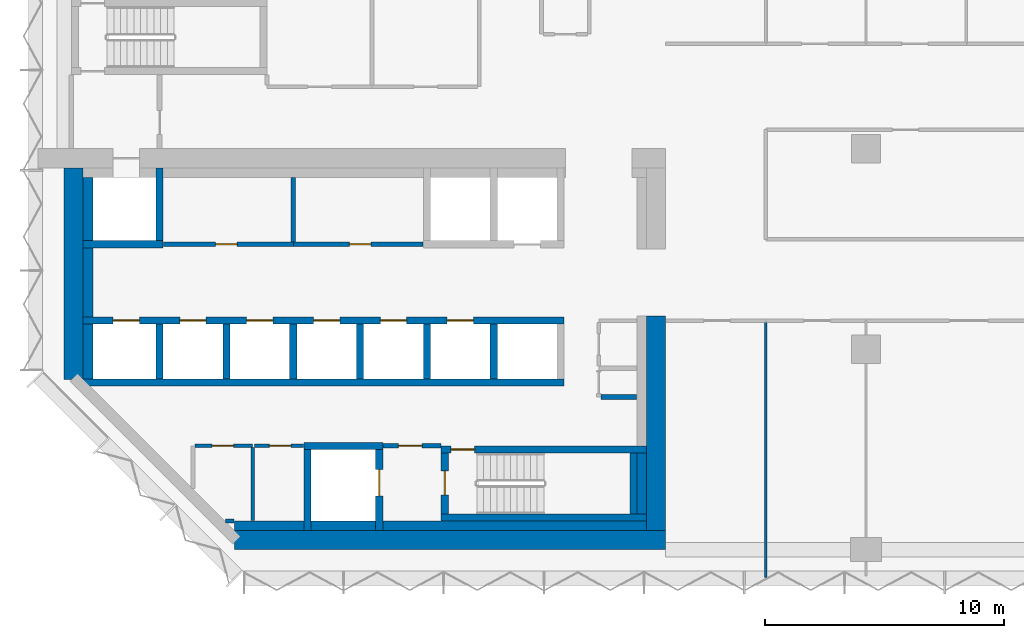
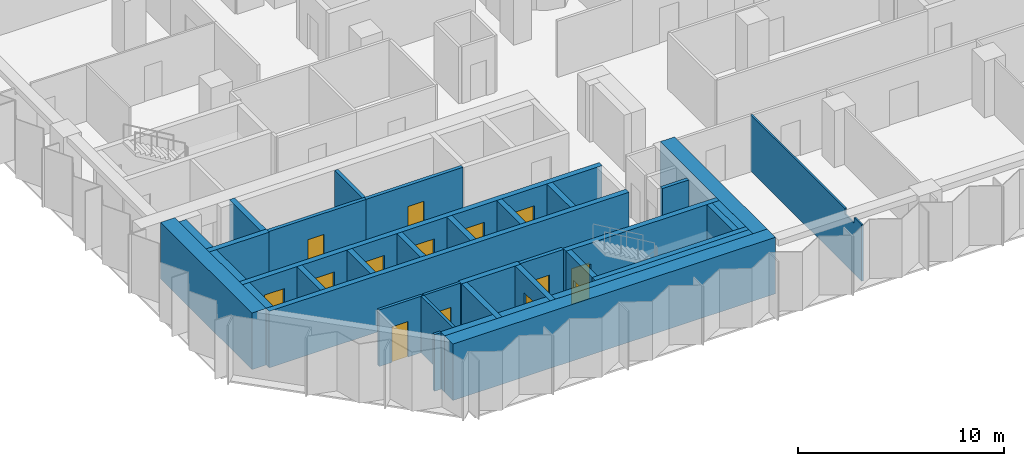
# One storey, part 7 of 13: 37 walls, 14 doors, 14 openings.
"""IFC4 building model written with IfcOpenShell, lengths in metres."""

from ifc_helpers import new_model, si_unit, direction, frame, frame_2d, origin, place, context, subcontext, project, spatial, polyline, rectangle, outline, extrude, material, layer, layer_set, type_object, element, fill, save


model = new_model("IFC4")

# Units and contexts
model_context = context("Model", 3, precision=1e-05, world=origin(), true_north=direction((0.0, 1.0)))
body_context = subcontext(model_context, "Body", "Model", "MODEL_VIEW")
ifc_project = project(units=[si_unit("LENGTHUNIT", "METRE"), si_unit("AREAUNIT", "SQUARE_METRE"), si_unit("VOLUMEUNIT", "CUBIC_METRE"), si_unit("PLANEANGLEUNIT", "RADIAN"), si_unit("MASSUNIT", "GRAM", prefix="KILO")], contexts=[model_context])

# Site, building, storey
site_placement = place(None, origin())
site = spatial("IfcSite", under=ifc_project, at=site_placement, CompositionType="ELEMENT")
building_placement = place(site_placement, origin())
building = spatial("IfcBuilding", under=site, at=building_placement, Name="Brevane Broadcast Tower", CompositionType="ELEMENT")
storey_placement = place(building_placement, frame((0.0, 0.0, 113.300048828125)))
storey = spatial("IfcBuildingStorey", under=building, at=storey_placement, Name="L27", CompositionType="ELEMENT", Elevation=113.300048828125)

# Walls
ifc_material_1 = material(Name="Concrete C32/40", Category="concrete")
ifc_layer_1 = layer(ifc_material_1, 0.39990234375)
ifc_layer_set_1 = layer_set([ifc_layer_1], Name="Core chase wall 400 mm")
wall_type_1 = type_object("IfcWallType", Name="Core chase wall 400 mm", PredefinedType="PARTITIONING", material=ifc_layer_set_1)
wall_1_placement = place(storey_placement, frame((1.0, 7.14990234375, 0.0), z_axis=(0.0, 0.0, 1.0), x_axis=(0.0, 1.0, 0.0)))
element("IfcWall", 1, at=wall_1_placement, inside=storey, type_object=wall_type_1, Name="L27 chase wall LW-2-1", PredefinedType="PARTITIONING", context=body_context, shape_type="SweptSolid", body=[
    extrude(rectangle(XDim=2.300048828125, YDim=0.39990234375, at=frame_2d((1.14990234375, 0.0))), origin(), (0.0, 0.0, 1.0), 3.349853515625),
])
wall_2_placement = place(storey_placement, frame((1.0, 9.75, 0.0), z_axis=(0.0, 0.0, 1.0), x_axis=(0.0, 1.0, 0.0)))
element("IfcWall", 2, at=wall_2_placement, inside=storey, type_object=wall_type_1, Name="L27 chase wall LW-2-2-1", PredefinedType="PARTITIONING", context=body_context, shape_type="SweptSolid", body=[
    extrude(rectangle(XDim=2.89990234375, YDim=0.39990234375, at=frame_2d((1.449951171875, 0.0))), origin(), (0.0, 0.0, 1.0), 3.349853515625),
])
wall_3_placement = place(storey_placement, frame((1.0, 12.949951171875, 0.0), z_axis=(0.0, 0.0, 1.0), x_axis=(0.0, 1.0, 0.0)))
element("IfcWall", 3, at=wall_3_placement, inside=storey, type_object=wall_type_1, Name="L27 chase wall LW-2-2-2", PredefinedType="PARTITIONING", context=body_context, shape_type="SweptSolid", body=[
    extrude(rectangle(XDim=2.650146484375, YDim=0.39990234375, at=frame_2d((1.3251953125, 0.0))), origin(), (0.0, 0.0, 1.0), 3.349853515625),
])
wall_4_placement = place(storey_placement, frame((7.136474609375, 1.0, 0.0), z_axis=(0.0, 0.0, 1.0), x_axis=(1.0, 0.0, 0.0)))
element("IfcWall", 4, at=wall_4_placement, inside=storey, type_object=wall_type_1, Name="L27 chase wall LS-1", PredefinedType="PARTITIONING", context=body_context, shape_type="SweptSolid", body=[
    extrude(rectangle(XDim=2.91357421875, YDim=0.39990234375, at=frame_2d((1.456787109375, 0.0))), origin(), (0.0, 0.0, 1.0), 3.349853515625),
])
wall_5_placement = place(storey_placement, frame((10.35009765625, 1.0, 0.0), z_axis=(0.0, 0.0, 1.0), x_axis=(1.0, 0.0, 0.0)))
element("IfcWall", 5, at=wall_5_placement, inside=storey, type_object=wall_type_1, Name="L27 chase wall LS-2-1", PredefinedType="PARTITIONING", context=body_context, shape_type="SweptSolid", body=[
    extrude(rectangle(XDim=2.699951171875, YDim=0.39990234375, at=frame_2d((1.35009765625, 0.0))), origin(), (0.0, 0.0, 1.0), 3.349853515625),
])
wall_6_placement = place(storey_placement, frame((13.35009765625, 1.0, 0.0), z_axis=(0.0, 0.0, 1.0), x_axis=(1.0, 0.0, 0.0)))
element("IfcWall", 6, at=wall_6_placement, inside=storey, type_object=wall_type_1, Name="L27 chase wall LS-2-2", PredefinedType="PARTITIONING", context=body_context, shape_type="SweptSolid", body=[
    extrude(rectangle(XDim=11.0498046875, YDim=0.39990234375, at=frame_2d((5.52490234375, 0.0))), origin(), (0.0, 0.0, 1.0), 3.349853515625),
])
wall_7_placement = place(storey_placement, frame((24.199951171875, 1.5, 0.0), z_axis=(0.0, 0.0, 1.0), x_axis=(0.0, 1.0, 0.0)))
element("IfcWall", 7, at=wall_7_placement, inside=storey, type_object=wall_type_1, Name="L27 chase wall LE1-2-1", PredefinedType="PARTITIONING", context=body_context, shape_type="SweptSolid", body=[
    extrude(rectangle(XDim=2.550048828125, YDim=0.39990234375, at=frame_2d((1.27490234375, 0.0))), origin(), (0.0, 0.0, 1.0), 3.349853515625),
])

# Wall, opening, door
ifc_material_2 = material(Name="Gypsum board on steel studs", Category="steel")
ifc_layer_2 = layer(ifc_material_2, 0.14990234375)
ifc_layer_set_2 = layer_set([ifc_layer_2], Name="Core fire partition 150 mm")
wall_type_2 = type_object("IfcWallType", Name="Core fire partition 150 mm", PredefinedType="PARTITIONING", material=ifc_layer_set_2)
wall_8_placement = place(storey_placement, frame((5.47509765625, 4.35009765625, 0.0), z_axis=(0.0, 0.0, 1.0), x_axis=(1.0, 0.0, 0.0)))
wall_8 = element("IfcWall", 8, at=wall_8_placement, inside=storey, type_object=wall_type_2, Name="L27 partition wall P11", PredefinedType="PARTITIONING", context=body_context, shape_type="SweptSolid", body=[
    extrude(rectangle(XDim=2.4248046875, YDim=0.14990234375, at=frame_2d((1.21240234375, 0.0))), origin(), (0.0, 0.0, 1.0), 3.349853515625),
])
opening_1_placement = place(wall_8_placement, frame((0.72509765625, 0.0, 0.0)))
opening_1 = element("IfcOpeningElement", 9, at=opening_1_placement, cuts=wall_8, Name="Opening L27-K16", PredefinedType="OPENING", context=body_context, shape_type="SweptSolid", body=[
    extrude(rectangle(XDim=0.89990234375, YDim=2.10009765625, at=frame_2d((0.449951171875, 1.050048828125))), frame((0.0, 0.0849609375, 0.0), z_axis=(0.0, -1.0, 0.0), x_axis=(1.0, 0.0, 0.0)), (0.0, 0.0, 1.0), 0.169921875),
])
ifc_material_3 = material(Name="Timber", Category="wood")
door_type_1 = type_object("IfcDoorType", Name="Toilet door 900 x 2100", OperationType="SINGLE_SWING_LEFT", PredefinedType="DOOR", material=ifc_material_3)
door_1_placement = place(opening_1_placement, origin())
door_1 = element("IfcDoor", 10, at=door_1_placement, inside=storey, type_object=door_type_1, Name="Door L27-K16", OperationType="SINGLE_SWING_LEFT", OverallHeight=2.10009765625, OverallWidth=0.89990234375, PredefinedType="DOOR", context=body_context, shape_type="SweptSolid", body=[
    extrude(rectangle(XDim=0.89990234375, YDim=2.10009765625, at=frame_2d((0.449951171875, 1.050048828125))), frame((0.0, 0.02490234375, 0.0), z_axis=(0.0, -1.0, 0.0), x_axis=(1.0, 0.0, 0.0)), (0.0, 0.0, 1.0), 0.050048828125),
])
fill(opening_1, door_1)

# Walls
wall_9_placement = place(storey_placement, frame((7.89990234375, 4.27490234375, 0.0), z_axis=(0.0, 0.0, 1.0), x_axis=(0.0, -1.0, 0.0)))
element("IfcWall", 11, at=wall_9_placement, inside=storey, type_object=wall_type_2, Name="L27 partition wall P12", PredefinedType="PARTITIONING", context=body_context, shape_type="SweptSolid", body=[
    extrude(rectangle(XDim=3.06298828125, YDim=0.14990234375, at=frame_2d((1.531494140625, 0.0))), origin(), (0.0, 0.0, 1.0), 3.349853515625),
])
wall_10_placement = place(storey_placement, frame((7.12451171875, 1.199951171875, 0.0), z_axis=(0.0, 0.0, 1.0), x_axis=(-1.0, 0.0, 0.0)))
element("IfcWall", 12, at=wall_10_placement, inside=storey, type_object=wall_type_2, Name="L27 partition wall P13", PredefinedType="PARTITIONING", context=body_context, shape_type="SweptSolid", body=[
    extrude(rectangle(XDim=0.37109375, YDim=0.14990234375, at=frame_2d((0.185546875, 0.0))), origin(), (0.0, 0.0, 1.0), 3.349853515625),
])

# Wall, opening, door
wall_11_placement = place(storey_placement, frame((10.0380859375, 4.35009765625, 0.0), z_axis=(0.0, 0.0, 1.0), x_axis=(-1.0, 0.0, 0.0)))
wall_11 = element("IfcWall", 13, at=wall_11_placement, inside=storey, type_object=wall_type_2, Name="L27 partition wall P14", PredefinedType="PARTITIONING", context=body_context, shape_type="SweptSolid", body=[
    extrude(rectangle(XDim=2.06298828125, YDim=0.14990234375, at=frame_2d((1.031494140625, 0.0))), origin(), (0.0, 0.0, 1.0), 3.349853515625),
])
opening_2_placement = place(wall_11_placement, frame((0.5380859375, 0.0, 0.0)))
opening_2 = element("IfcOpeningElement", 14, at=opening_2_placement, cuts=wall_11, Name="Opening L27-K17", PredefinedType="OPENING", context=body_context, shape_type="SweptSolid", body=[
    extrude(rectangle(XDim=0.89990234375, YDim=2.10009765625, at=frame_2d((0.449951171875, 1.050048828125))), frame((0.0, 0.0849609375, 0.0), z_axis=(0.0, -1.0, 0.0), x_axis=(1.0, 0.0, 0.0)), (0.0, 0.0, 1.0), 0.169921875),
])
door_2_placement = place(opening_2_placement, origin())
door_2 = element("IfcDoor", 15, at=door_2_placement, inside=storey, type_object=door_type_1, Name="Door L27-K17", OperationType="SINGLE_SWING_RIGHT", OverallHeight=2.10009765625, OverallWidth=0.89990234375, PredefinedType="DOOR", context=body_context, shape_type="SweptSolid", body=[
    extrude(rectangle(XDim=0.89990234375, YDim=2.10009765625, at=frame_2d((0.449951171875, 1.050048828125))), frame((0.0, 0.02490234375, 0.0), z_axis=(0.0, -1.0, 0.0), x_axis=(1.0, 0.0, 0.0)), (0.0, 0.0, 1.0), 0.050048828125),
])
fill(opening_2, door_2)

ifc_layer_3 = layer(ifc_material_2, 0.199951171875)
ifc_layer_set_3 = layer_set([ifc_layer_3], Name="Core fire partition 200 mm")
wall_type_3 = type_object("IfcWallType", Name="Core fire partition 200 mm", PredefinedType="PARTITIONING", material=ifc_layer_set_3)
wall_12_placement = place(storey_placement, frame((13.362060546875, 4.35009765625, 0.0), z_axis=(0.0, 0.0, 1.0), x_axis=(1.0, 0.0, 0.0)))
wall_12 = element("IfcWall", 16, at=wall_12_placement, inside=storey, type_object=wall_type_3, Name="L27 partition wall P03", PredefinedType="PARTITIONING", context=body_context, shape_type="SweptSolid", body=[
    extrude(rectangle(XDim=2.426025390625, YDim=0.199951171875, at=frame_2d((1.212890625, 0.0))), origin(), (0.0, 0.0, 1.0), 3.349853515625),
])
opening_3_placement = place(wall_12_placement, frame((0.637939453125, 0.0, 0.0)))
opening_3 = element("IfcOpeningElement", 17, at=opening_3_placement, cuts=wall_12, Name="Opening L27-K18", PredefinedType="OPENING", context=body_context, shape_type="SweptSolid", body=[
    extrude(rectangle(XDim=1.0, YDim=2.10009765625, at=frame_2d((0.5, 1.050048828125))), frame((0.0, 0.10986328125, 0.0), z_axis=(0.0, -1.0, 0.0), x_axis=(1.0, 0.0, 0.0)), (0.0, 0.0, 1.0), 0.219970703125),
])
ifc_material_4 = material(Name="Steel", Category="steel")
door_type_2 = type_object("IfcDoorType", Name="Stair door 1000 x 2100", OperationType="SINGLE_SWING_LEFT", PredefinedType="DOOR", material=ifc_material_4)
door_3_placement = place(opening_3_placement, origin())
door_3 = element("IfcDoor", 18, at=door_3_placement, inside=storey, type_object=door_type_2, Name="Door L27-K18", OperationType="SINGLE_SWING_LEFT", OverallHeight=2.10009765625, OverallWidth=1.0, PredefinedType="DOOR", context=body_context, shape_type="SweptSolid", body=[
    extrude(rectangle(XDim=1.0, YDim=2.10009765625, at=frame_2d((0.5, 1.050048828125))), frame((0.0, 0.02490234375, 0.0), z_axis=(0.0, -1.0, 0.0), x_axis=(1.0, 0.0, 0.0)), (0.0, 0.0, 1.0), 0.050048828125),
])
fill(opening_3, door_3)

wall_13_placement = place(storey_placement, frame((4.162109375, 12.800048828125, 0.0), z_axis=(0.0, 0.0, 1.0), x_axis=(1.0, 0.0, 0.0)))
wall_13 = element("IfcWall", 19, at=wall_13_placement, inside=storey, type_object=wall_type_3, Name="L27 partition wall P04", PredefinedType="PARTITIONING", context=body_context, shape_type="SweptSolid", body=[
    extrude(rectangle(XDim=5.43798828125, YDim=0.199951171875, at=frame_2d((2.718994140625, 0.0))), origin(), (0.0, 0.0, 1.0), 3.349853515625),
])
opening_4_placement = place(wall_13_placement, frame((2.18798828125, 0.0, 0.0)))
opening_4 = element("IfcOpeningElement", 20, at=opening_4_placement, cuts=wall_13, Name="Opening L27-K21", PredefinedType="OPENING", context=body_context, shape_type="SweptSolid", body=[
    extrude(rectangle(XDim=0.89990234375, YDim=2.10009765625, at=frame_2d((0.449951171875, 1.050048828125))), frame((0.0, 0.10986328125, 0.0), z_axis=(0.0, -1.0, 0.0), x_axis=(1.0, 0.0, 0.0)), (0.0, 0.0, 1.0), 0.219970703125),
])
door_type_3 = type_object("IfcDoorType", Name="Service room door 900 x 2100", OperationType="SINGLE_SWING_LEFT", PredefinedType="DOOR", material=ifc_material_4)
door_4_placement = place(opening_4_placement, origin())
door_4 = element("IfcDoor", 21, at=door_4_placement, inside=storey, type_object=door_type_3, Name="Door L27-K21", OperationType="SINGLE_SWING_RIGHT", OverallHeight=2.10009765625, OverallWidth=0.89990234375, PredefinedType="DOOR", context=body_context, shape_type="SweptSolid", body=[
    extrude(rectangle(XDim=0.89990234375, YDim=2.10009765625, at=frame_2d((0.449951171875, 1.050048828125))), frame((0.0, 0.02490234375, 0.0), z_axis=(0.0, -1.0, 0.0), x_axis=(1.0, 0.0, 0.0)), (0.0, 0.0, 1.0), 0.050048828125),
])
fill(opening_4, door_4)

wall_14_placement = place(storey_placement, frame((9.60009765625, 12.800048828125, 0.0), z_axis=(0.0, 0.0, 1.0), x_axis=(1.0, 0.0, 0.0)))
wall_14 = element("IfcWall", 22, at=wall_14_placement, inside=storey, type_object=wall_type_3, Name="L27 partition wall P05", PredefinedType="PARTITIONING", context=body_context, shape_type="SweptSolid", body=[
    extrude(rectangle(XDim=5.43798828125, YDim=0.199951171875, at=frame_2d((2.718994140625, 0.0))), origin(), (0.0, 0.0, 1.0), 3.349853515625),
])
opening_5_placement = place(wall_14_placement, frame((2.35009765625, 0.0, 0.0)))
opening_5 = element("IfcOpeningElement", 23, at=opening_5_placement, cuts=wall_14, Name="Opening L27-K22", PredefinedType="OPENING", context=body_context, shape_type="SweptSolid", body=[
    extrude(rectangle(XDim=0.89990234375, YDim=2.10009765625, at=frame_2d((0.449951171875, 1.050048828125))), frame((0.0, 0.10986328125, 0.0), z_axis=(0.0, -1.0, 0.0), x_axis=(1.0, 0.0, 0.0)), (0.0, 0.0, 1.0), 0.219970703125),
])
door_5_placement = place(opening_5_placement, origin())
door_5 = element("IfcDoor", 24, at=door_5_placement, inside=storey, type_object=door_type_3, Name="Door L27-K22", OperationType="SINGLE_SWING_LEFT", OverallHeight=2.10009765625, OverallWidth=0.89990234375, PredefinedType="DOOR", context=body_context, shape_type="SweptSolid", body=[
    extrude(rectangle(XDim=0.89990234375, YDim=2.10009765625, at=frame_2d((0.449951171875, 1.050048828125))), frame((0.0, 0.02490234375, 0.0), z_axis=(0.0, -1.0, 0.0), x_axis=(1.0, 0.0, 0.0)), (0.0, 0.0, 1.0), 0.050048828125),
])
fill(opening_5, door_5)

# Walls
wall_15_placement = place(storey_placement, frame((9.60009765625, 15.587890625, 0.0), z_axis=(0.0, 0.0, 1.0), x_axis=(0.0, -1.0, 0.0)))
element("IfcWall", 25, at=wall_15_placement, inside=storey, type_object=wall_type_3, Name="L27 partition wall P06", PredefinedType="PARTITIONING", context=body_context, shape_type="SweptSolid", body=[
    extrude(rectangle(XDim=2.68798828125, YDim=0.199951171875, at=frame_2d((1.343994140625, 0.0))), origin(), (0.0, 0.0, 1.0), 3.349853515625),
])
wall_16_placement = place(storey_placement, frame((22.5, 6.39990234375, 0.0), z_axis=(0.0, 0.0, 1.0), x_axis=(1.0, 0.0, 0.0)))
element("IfcWall", 26, at=wall_16_placement, inside=storey, type_object=wall_type_3, Name="L27 partition wall P09", PredefinedType="PARTITIONING", context=body_context, shape_type="SweptSolid", body=[
    extrude(rectangle(XDim=1.488037109375, YDim=0.199951171875, at=frame_2d((0.744140625, 0.0))), origin(), (0.0, 0.0, 1.0), 3.349853515625),
])
ifc_material_5 = material(Name="Concrete C60/75", Category="concrete")
ifc_layer_4 = layer(ifc_material_5, 0.300048828125)
ifc_layer_set_4 = layer_set([ifc_layer_4], Name="Core wall 300 mm C60/75")
wall_type_4 = type_object("IfcWallType", Name="Core wall 300 mm C60/75", PredefinedType="SHEAR", material=ifc_layer_set_4)
wall_17_placement = place(storey_placement, frame((0.800048828125, 7.0, 0.0), z_axis=(0.0, 0.0, 1.0), x_axis=(1.0, 0.0, 0.0)))
element("IfcWall", 27, at=wall_17_placement, inside=storey, type_object=wall_type_4, Name="L27 shaft wall SH-S012-back", PredefinedType="SHEAR", context=body_context, shape_type="SweptSolid", body=[
    extrude(rectangle(XDim=20.14990234375, YDim=0.300048828125, at=frame_2d((10.074951171875, 0.0))), origin(), (0.0, 0.0, 1.0), 3.349853515625),
])

# Wall, openings, doors
wall_18_placement = place(storey_placement, frame((0.800048828125, 9.60009765625, 0.0), z_axis=(0.0, 0.0, 1.0), x_axis=(1.0, 0.0, 0.0)))
wall_18 = element("IfcWall", 28, at=wall_18_placement, inside=storey, type_object=wall_type_4, Name="L27 shaft wall SH-S012-front", PredefinedType="SHEAR", context=body_context, shape_type="SweptSolid", body=[
    extrude(rectangle(XDim=20.14990234375, YDim=0.300048828125, at=frame_2d((10.074951171875, 0.0))), origin(), (0.0, 0.0, 1.0), 3.349853515625),
])
opening_6_placement = place(wall_18_placement, frame((1.25, 0.0, 0.0)))
opening_6 = element("IfcOpeningElement", 29, at=opening_6_placement, cuts=wall_18, Name="Opening LD", PredefinedType="OPENING", context=body_context, shape_type="SweptSolid", body=[
    extrude(rectangle(XDim=1.10009765625, YDim=2.300048828125, at=frame_2d((0.550048828125, 1.14990234375))), frame((0.0, 0.159912109375, 0.0), z_axis=(0.0, -1.0, 0.0), x_axis=(1.0, 0.0, 0.0)), (0.0, 0.0, 1.0), 0.320068359375),
])
opening_7_placement = place(wall_18_placement, frame((4.050048828125, 0.0, 0.0)))
opening_7 = element("IfcOpeningElement", 30, at=opening_7_placement, cuts=wall_18, Name="Opening LD", PredefinedType="OPENING", context=body_context, shape_type="SweptSolid", body=[
    extrude(rectangle(XDim=1.10009765625, YDim=2.300048828125, at=frame_2d((0.550048828125, 1.14990234375))), frame((0.0, 0.159912109375, 0.0), z_axis=(0.0, -1.0, 0.0), x_axis=(1.0, 0.0, 0.0)), (0.0, 0.0, 1.0), 0.320068359375),
])
opening_8_placement = place(wall_18_placement, frame((6.85009765625, 0.0, 0.0)))
opening_8 = element("IfcOpeningElement", 31, at=opening_8_placement, cuts=wall_18, Name="Opening LD", PredefinedType="OPENING", context=body_context, shape_type="SweptSolid", body=[
    extrude(rectangle(XDim=1.10009765625, YDim=2.300048828125, at=frame_2d((0.550048828125, 1.14990234375))), frame((0.0, 0.159912109375, 0.0), z_axis=(0.0, -1.0, 0.0), x_axis=(1.0, 0.0, 0.0)), (0.0, 0.0, 1.0), 0.320068359375),
])
opening_9_placement = place(wall_18_placement, frame((9.64990234375, 0.0, 0.0)))
opening_9 = element("IfcOpeningElement", 32, at=opening_9_placement, cuts=wall_18, Name="Opening LD", PredefinedType="OPENING", context=body_context, shape_type="SweptSolid", body=[
    extrude(rectangle(XDim=1.10009765625, YDim=2.300048828125, at=frame_2d((0.550048828125, 1.14990234375))), frame((0.0, 0.159912109375, 0.0), z_axis=(0.0, -1.0, 0.0), x_axis=(1.0, 0.0, 0.0)), (0.0, 0.0, 1.0), 0.320068359375),
])
opening_10_placement = place(wall_18_placement, frame((12.449951171875, 0.0, 0.0)))
opening_10 = element("IfcOpeningElement", 33, at=opening_10_placement, cuts=wall_18, Name="Opening LD", PredefinedType="OPENING", context=body_context, shape_type="SweptSolid", body=[
    extrude(rectangle(XDim=1.10009765625, YDim=2.300048828125, at=frame_2d((0.550048828125, 1.14990234375))), frame((0.0, 0.159912109375, 0.0), z_axis=(0.0, -1.0, 0.0), x_axis=(1.0, 0.0, 0.0)), (0.0, 0.0, 1.0), 0.320068359375),
])
opening_11_placement = place(wall_18_placement, frame((15.25, 0.0, 0.0)))
opening_11 = element("IfcOpeningElement", 34, at=opening_11_placement, cuts=wall_18, Name="Opening LD", PredefinedType="OPENING", context=body_context, shape_type="SweptSolid", body=[
    extrude(rectangle(XDim=1.10009765625, YDim=2.300048828125, at=frame_2d((0.550048828125, 1.14990234375))), frame((0.0, 0.159912109375, 0.0), z_axis=(0.0, -1.0, 0.0), x_axis=(1.0, 0.0, 0.0)), (0.0, 0.0, 1.0), 0.320068359375),
])
ifc_material_6 = material(Name="Stainless steel", Category="steel")
door_type_4 = type_object("IfcDoorType", Name="Lift landing door", OperationType="SLIDING_TO_LEFT", PredefinedType="DOOR", material=ifc_material_6)
door_6_placement = place(opening_6_placement, origin())
door_6 = element("IfcDoor", 35, at=door_6_placement, inside=storey, type_object=door_type_4, Name="Landing door LR1 L27", OperationType="SLIDING_TO_LEFT", OverallHeight=2.300048828125, OverallWidth=1.10009765625, PredefinedType="DOOR", context=body_context, shape_type="SweptSolid", body=[
    extrude(rectangle(XDim=1.10009765625, YDim=2.300048828125, at=frame_2d((0.550048828125, 1.14990234375))), frame((0.0, 0.02490234375, 0.0), z_axis=(0.0, -1.0, 0.0), x_axis=(1.0, 0.0, 0.0)), (0.0, 0.0, 1.0), 0.050048828125),
])
fill(opening_6, door_6)
door_7_placement = place(opening_7_placement, origin())
door_7 = element("IfcDoor", 36, at=door_7_placement, inside=storey, type_object=door_type_4, Name="Landing door LR2 L27", OperationType="SLIDING_TO_LEFT", OverallHeight=2.300048828125, OverallWidth=1.10009765625, PredefinedType="DOOR", context=body_context, shape_type="SweptSolid", body=[
    extrude(rectangle(XDim=1.10009765625, YDim=2.300048828125, at=frame_2d((0.550048828125, 1.14990234375))), frame((0.0, 0.02490234375, 0.0), z_axis=(0.0, -1.0, 0.0), x_axis=(1.0, 0.0, 0.0)), (0.0, 0.0, 1.0), 0.050048828125),
])
fill(opening_7, door_7)
door_8_placement = place(opening_8_placement, origin())
door_8 = element("IfcDoor", 37, at=door_8_placement, inside=storey, type_object=door_type_4, Name="Landing door LR3 L27", OperationType="SLIDING_TO_LEFT", OverallHeight=2.300048828125, OverallWidth=1.10009765625, PredefinedType="DOOR", context=body_context, shape_type="SweptSolid", body=[
    extrude(rectangle(XDim=1.10009765625, YDim=2.300048828125, at=frame_2d((0.550048828125, 1.14990234375))), frame((0.0, 0.02490234375, 0.0), z_axis=(0.0, -1.0, 0.0), x_axis=(1.0, 0.0, 0.0)), (0.0, 0.0, 1.0), 0.050048828125),
])
fill(opening_8, door_8)
door_9_placement = place(opening_9_placement, origin())
door_9 = element("IfcDoor", 38, at=door_9_placement, inside=storey, type_object=door_type_4, Name="Landing door LR4 L27", OperationType="SLIDING_TO_LEFT", OverallHeight=2.300048828125, OverallWidth=1.10009765625, PredefinedType="DOOR", context=body_context, shape_type="SweptSolid", body=[
    extrude(rectangle(XDim=1.10009765625, YDim=2.300048828125, at=frame_2d((0.550048828125, 1.14990234375))), frame((0.0, 0.02490234375, 0.0), z_axis=(0.0, -1.0, 0.0), x_axis=(1.0, 0.0, 0.0)), (0.0, 0.0, 1.0), 0.050048828125),
])
fill(opening_9, door_9)
door_10_placement = place(opening_10_placement, origin())
door_10 = element("IfcDoor", 39, at=door_10_placement, inside=storey, type_object=door_type_4, Name="Landing door LR5 L27", OperationType="SLIDING_TO_LEFT", OverallHeight=2.300048828125, OverallWidth=1.10009765625, PredefinedType="DOOR", context=body_context, shape_type="SweptSolid", body=[
    extrude(rectangle(XDim=1.10009765625, YDim=2.300048828125, at=frame_2d((0.550048828125, 1.14990234375))), frame((0.0, 0.02490234375, 0.0), z_axis=(0.0, -1.0, 0.0), x_axis=(1.0, 0.0, 0.0)), (0.0, 0.0, 1.0), 0.050048828125),
])
fill(opening_10, door_10)
door_11_placement = place(opening_11_placement, origin())
door_11 = element("IfcDoor", 40, at=door_11_placement, inside=storey, type_object=door_type_4, Name="Landing door LR6 L27", OperationType="SLIDING_TO_LEFT", OverallHeight=2.300048828125, OverallWidth=1.10009765625, PredefinedType="DOOR", context=body_context, shape_type="SweptSolid", body=[
    extrude(rectangle(XDim=1.10009765625, YDim=2.300048828125, at=frame_2d((0.550048828125, 1.14990234375))), frame((0.0, 0.02490234375, 0.0), z_axis=(0.0, -1.0, 0.0), x_axis=(1.0, 0.0, 0.0)), (0.0, 0.0, 1.0), 0.050048828125),
])
fill(opening_11, door_11)

# Walls
for number, where, z_axis, x_axis, name in (
    (41, (4.0, 7.14990234375, 0.0), (0.0, 0.0, 1.0), (0.0, 1.0, 0.0), "L27 shaft wall SH-S-P040"),
    (42, (6.800048828125, 7.14990234375, 0.0), (0.0, 0.0, 1.0), (0.0, 1.0, 0.0), "L27 shaft wall SH-S-P068"),
    (43, (9.60009765625, 7.14990234375, 0.0), (0.0, 0.0, 1.0), (0.0, 1.0, 0.0), "L27 shaft wall SH-S-P096"),
    (44, (12.39990234375, 7.14990234375, 0.0), (0.0, 0.0, 1.0), (0.0, 1.0, 0.0), "L27 shaft wall SH-S-P124"),
    (45, (15.199951171875, 7.14990234375, 0.0), (0.0, 0.0, 1.0), (0.0, 1.0, 0.0), "L27 shaft wall SH-S-P152"),
    (46, (18.0, 7.14990234375, 0.0), (0.0, 0.0, 1.0), (0.0, 1.0, 0.0), "L27 shaft wall SH-S-P180"),
):
    element("IfcWall", number, at=place(storey_placement, frame(where, z_axis=z_axis, x_axis=x_axis)), inside=storey, type_object=wall_type_4, Name=name, PredefinedType="SHEAR", context=body_context, shape_type="SweptSolid", body=[
        extrude(rectangle(XDim=2.300048828125, YDim=0.300048828125, at=frame_2d((1.14990234375, 0.0))), origin(), (0.0, 0.0, 1.0), 3.349853515625),
    ])
wall_19_placement = place(storey_placement, frame((0.800048828125, 12.800048828125, 0.0), z_axis=(0.0, 0.0, 1.0), x_axis=(1.0, 0.0, 0.0)))
element("IfcWall", 47, at=wall_19_placement, inside=storey, type_object=wall_type_4, Name="L27 shaft wall SH-N012-front", PredefinedType="SHEAR", context=body_context, shape_type="SweptSolid", body=[
    extrude(rectangle(XDim=3.349853515625, YDim=0.300048828125, at=frame_2d((1.6748046875, 0.0))), origin(), (0.0, 0.0, 1.0), 3.349853515625),
])
wall_20_placement = place(storey_placement, frame((4.0, 12.949951171875, 0.0), z_axis=(0.0, 0.0, 1.0), x_axis=(0.0, 1.0, 0.0)))
element("IfcWall", 48, at=wall_20_placement, inside=storey, type_object=wall_type_4, Name="L27 shaft wall SH-N-P040", PredefinedType="SHEAR", context=body_context, shape_type="SweptSolid", body=[
    extrude(rectangle(XDim=3.050048828125, YDim=0.300048828125, at=frame_2d((1.52490234375, 0.0))), origin(), (0.0, 0.0, 1.0), 3.349853515625),
])
wall_21_placement = place(storey_placement, frame((10.199951171875, 0.800048828125, 0.0), z_axis=(0.0, 0.0, 1.0), x_axis=(0.0, 1.0, 0.0)))
element("IfcWall", 49, at=wall_21_placement, inside=storey, type_object=wall_type_4, Name="L27 shaft wall FF2-W", PredefinedType="SHEAR", context=body_context, shape_type="SweptSolid", body=[
    extrude(rectangle(XDim=3.39990234375, YDim=0.300048828125, at=frame_2d((1.699951171875, 0.0))), origin(), (0.0, 0.0, 1.0), 3.349853515625),
])

# Wall, opening, door
wall_22_placement = place(storey_placement, frame((13.199951171875, 0.800048828125, 0.0), z_axis=(0.0, 0.0, 1.0), x_axis=(0.0, 1.0, 0.0)))
wall_22 = element("IfcWall", 50, at=wall_22_placement, inside=storey, type_object=wall_type_4, Name="L27 shaft wall FF2-E", PredefinedType="SHEAR", context=body_context, shape_type="SweptSolid", body=[
    extrude(rectangle(XDim=3.39990234375, YDim=0.300048828125, at=frame_2d((1.699951171875, 0.0))), origin(), (0.0, 0.0, 1.0), 3.349853515625),
])
opening_12_placement = place(wall_22_placement, frame((1.449951171875, 0.0, 0.0)))
opening_12 = element("IfcOpeningElement", 51, at=opening_12_placement, cuts=wall_22, Name="Opening LD", PredefinedType="OPENING", context=body_context, shape_type="SweptSolid", body=[
    extrude(rectangle(XDim=1.10009765625, YDim=2.300048828125, at=frame_2d((0.550048828125, 1.14990234375))), frame((0.0, 0.159912109375, 0.0), z_axis=(0.0, -1.0, 0.0), x_axis=(1.0, 0.0, 0.0)), (0.0, 0.0, 1.0), 0.320068359375),
])
door_12_placement = place(opening_12_placement, origin())
door_12 = element("IfcDoor", 52, at=door_12_placement, inside=storey, type_object=door_type_4, Name="Landing door FF2 L27", OperationType="SLIDING_TO_LEFT", OverallHeight=2.300048828125, OverallWidth=1.10009765625, PredefinedType="DOOR", context=body_context, shape_type="SweptSolid", body=[
    extrude(rectangle(XDim=1.10009765625, YDim=2.300048828125, at=frame_2d((0.550048828125, 1.14990234375))), frame((0.0, 0.02490234375, 0.0), z_axis=(0.0, -1.0, 0.0), x_axis=(1.0, 0.0, 0.0)), (0.0, 0.0, 1.0), 0.050048828125),
])
fill(opening_12, door_12)

# Walls
wall_23_placement = place(storey_placement, frame((10.050048828125, 4.35009765625, 0.0), z_axis=(0.0, 0.0, 1.0), x_axis=(1.0, 0.0, 0.0)))
element("IfcWall", 53, at=wall_23_placement, inside=storey, type_object=wall_type_4, Name="L27 shaft wall FF2-N", PredefinedType="SHEAR", context=body_context, shape_type="SweptSolid", body=[
    extrude(rectangle(XDim=3.300048828125, YDim=0.300048828125, at=frame_2d((1.64990234375, 0.0))), origin(), (0.0, 0.0, 1.0), 3.349853515625),
])
wall_24_placement = place(storey_placement, frame((15.800048828125, 1.35009765625, 0.0), z_axis=(0.0, 0.0, 1.0), x_axis=(1.0, 0.0, 0.0)))
element("IfcWall", 54, at=wall_24_placement, inside=storey, type_object=wall_type_4, Name="L27 stair wall ST-2-S", PredefinedType="SHEAR", context=body_context, shape_type="SweptSolid", body=[
    extrude(rectangle(XDim=8.599853515625, YDim=0.300048828125, at=frame_2d((4.2998046875, 0.0))), origin(), (0.0, 0.0, 1.0), 3.349853515625),
])

# Wall, opening, door
wall_25_placement = place(storey_placement, frame((15.800048828125, 4.199951171875, 0.0), z_axis=(0.0, 0.0, 1.0), x_axis=(1.0, 0.0, 0.0)))
wall_25 = element("IfcWall", 55, at=wall_25_placement, inside=storey, type_object=wall_type_4, Name="L27 stair wall ST-2-N", PredefinedType="SHEAR", context=body_context, shape_type="SweptSolid", body=[
    extrude(rectangle(XDim=8.599853515625, YDim=0.300048828125, at=frame_2d((4.2998046875, 0.0))), origin(), (0.0, 0.0, 1.0), 3.349853515625),
])
opening_13_placement = place(wall_25_placement, frame((0.39990234375, 0.0, 0.0)))
opening_13 = element("IfcOpeningElement", 56, at=opening_13_placement, cuts=wall_25, Name="Opening L27-K13", PredefinedType="OPENING", context=body_context, shape_type="SweptSolid", body=[
    extrude(rectangle(XDim=1.0, YDim=2.10009765625, at=frame_2d((0.5, 1.050048828125))), frame((0.0, 0.159912109375, 0.0), z_axis=(0.0, -1.0, 0.0), x_axis=(1.0, 0.0, 0.0)), (0.0, 0.0, 1.0), 0.320068359375),
])
door_13_placement = place(opening_13_placement, origin())
door_13 = element("IfcDoor", 57, at=door_13_placement, inside=storey, type_object=door_type_2, Name="Door L27-K13", OperationType="SINGLE_SWING_RIGHT", OverallHeight=2.10009765625, OverallWidth=1.0, PredefinedType="DOOR", context=body_context, shape_type="SweptSolid", body=[
    extrude(rectangle(XDim=1.0, YDim=2.10009765625, at=frame_2d((0.5, 1.050048828125))), frame((0.0, 0.02490234375, 0.0), z_axis=(0.0, -1.0, 0.0), x_axis=(1.0, 0.0, 0.0)), (0.0, 0.0, 1.0), 0.050048828125),
])
fill(opening_13, door_13)

wall_26_placement = place(storey_placement, frame((15.949951171875, 1.5, 0.0), z_axis=(0.0, 0.0, 1.0), x_axis=(0.0, 1.0, 0.0)))
wall_26 = element("IfcWall", 58, at=wall_26_placement, inside=storey, type_object=wall_type_4, Name="L27 stair wall ST-2-W", PredefinedType="SHEAR", context=body_context, shape_type="SweptSolid", body=[
    extrude(rectangle(XDim=2.550048828125, YDim=0.300048828125, at=frame_2d((1.27490234375, 0.0))), origin(), (0.0, 0.0, 1.0), 3.349853515625),
])
opening_14_placement = place(wall_26_placement, frame((0.800048828125, 0.0, 0.0)))
opening_14 = element("IfcOpeningElement", 59, at=opening_14_placement, cuts=wall_26, Name="Opening L27-K12", PredefinedType="OPENING", context=body_context, shape_type="SweptSolid", body=[
    extrude(rectangle(XDim=1.0, YDim=2.10009765625, at=frame_2d((0.5, 1.050048828125))), frame((0.0, 0.159912109375, 0.0), z_axis=(0.0, -1.0, 0.0), x_axis=(1.0, 0.0, 0.0)), (0.0, 0.0, 1.0), 0.320068359375),
])
door_14_placement = place(opening_14_placement, origin())
door_14 = element("IfcDoor", 60, at=door_14_placement, inside=storey, type_object=door_type_2, Name="Door L27-K12", OperationType="SINGLE_SWING_LEFT", OverallHeight=2.10009765625, OverallWidth=1.0, PredefinedType="DOOR", context=body_context, shape_type="SweptSolid", body=[
    extrude(rectangle(XDim=1.0, YDim=2.10009765625, at=frame_2d((0.5, 1.050048828125))), frame((0.0, 0.02490234375, 0.0), z_axis=(0.0, -1.0, 0.0), x_axis=(1.0, 0.0, 0.0)), (0.0, 0.0, 1.0), 0.050048828125),
])
fill(opening_14, door_14)

# Walls
wall_27_placement = place(storey_placement, frame((23.85009765625, 1.5, 0.0), z_axis=(0.0, 0.0, 1.0), x_axis=(0.0, 1.0, 0.0)))
element("IfcWall", 61, at=wall_27_placement, inside=storey, type_object=wall_type_4, Name="L27 stair wall ST-2-E", PredefinedType="SHEAR", context=body_context, shape_type="SweptSolid", body=[
    extrude(rectangle(XDim=2.550048828125, YDim=0.300048828125, at=frame_2d((1.27490234375, 0.0))), origin(), (0.0, 0.0, 1.0), 3.349853515625),
])
ifc_layer_5 = layer(ifc_material_5, 0.800048828125)
ifc_layer_set_5 = layer_set([ifc_layer_5], Name="Core wall 800 mm C60/75")
wall_type_5 = type_object("IfcWallType", Name="Core wall 800 mm C60/75", PredefinedType="SHEAR", material=ifc_layer_set_5)
wall_28_placement = place(storey_placement, frame((7.136474609375, 0.39990234375, 0.0), z_axis=(0.0, 0.0, 1.0), x_axis=(1.0, 0.0, 0.0)))
element("IfcWall", 62, at=wall_28_placement, inside=storey, type_object=wall_type_5, Name="L27 outer wall WS", PredefinedType="SHEAR", context=body_context, shape_type="SweptSolid", body=[
    extrude(rectangle(XDim=18.0634765625, YDim=0.800048828125, at=frame_2d((9.03173828125, 0.0))), origin(), (0.0, 0.0, 1.0), 3.349853515625),
])
wall_29_placement = place(storey_placement, frame((0.39990234375, 7.136474609375, 0.0), z_axis=(0.0, 0.0, 1.0), x_axis=(0.0, 1.0, 0.0)))
element("IfcWall", 63, at=wall_29_placement, inside=storey, type_object=wall_type_5, Name="L27 outer wall WW", PredefinedType="SHEAR", context=body_context, shape_type="SweptSolid", body=[
    extrude(rectangle(XDim=8.863525390625, YDim=0.800048828125, at=frame_2d((4.431640625, 0.0))), origin(), (0.0, 0.0, 1.0), 3.349853515625),
])
wall_30_placement = place(storey_placement, frame((24.800048828125, 0.800048828125, 0.0), z_axis=(0.0, 0.0, 1.0), x_axis=(0.0, 1.0, 0.0)))
element("IfcWall", 64, at=wall_30_placement, inside=storey, type_object=wall_type_5, Name="L27 outer wall WE1", PredefinedType="SHEAR", context=body_context, shape_type="SweptSolid", body=[
    extrude(rectangle(XDim=9.0, YDim=0.800048828125, at=frame_2d((4.5, 0.0))), origin(), (0.0, 0.0, 1.0), 3.349853515625),
])
ifc_material_7 = material(Name="Gypsum board partition")
ifc_layer_6 = layer(ifc_material_7, 0.10009765625)
ifc_layer_set_6 = layer_set([ifc_layer_6], Name="PARTITION 100 STUD")
wall_type_6 = type_object("IfcWallType", Name="PARTITION 100 STUD", PredefinedType="PARTITIONING", material=ifc_layer_set_6)
wall_31_placement = place(storey_placement, frame((29.39990234375, 9.60009765625, 0.0), z_axis=(0.0, 0.0, 1.0), x_axis=(0.0, -1.0, 0.0)))
element("IfcWall", 65, at=wall_31_placement, inside=storey, type_object=wall_type_6, Name="Partition G08-026", PredefinedType="PARTITIONING", context=body_context, shape_type="SweptSolid", body=[
    extrude(outline(polyline([(0.0, 0.0), (10.774169921875, 0.0), (10.77392578125, 3.329833984375), (10.699951171875, 3.329833984375), (10.050048828125, 3.329833984375), (10.048095703125, 2.97998046875), (9.152099609375, 2.97998046875), (9.14990234375, 3.329833984375), (0.0, 3.329833984375), (0.0, 0.0)])), frame((0.0, 0.050048828125, 0.0), z_axis=(0.0, -1.0, 0.0), x_axis=(1.0, 0.0, 0.0)), (0.0, 0.0, 1.0), 0.10009765625),
])

save(model, "model.ifc")
